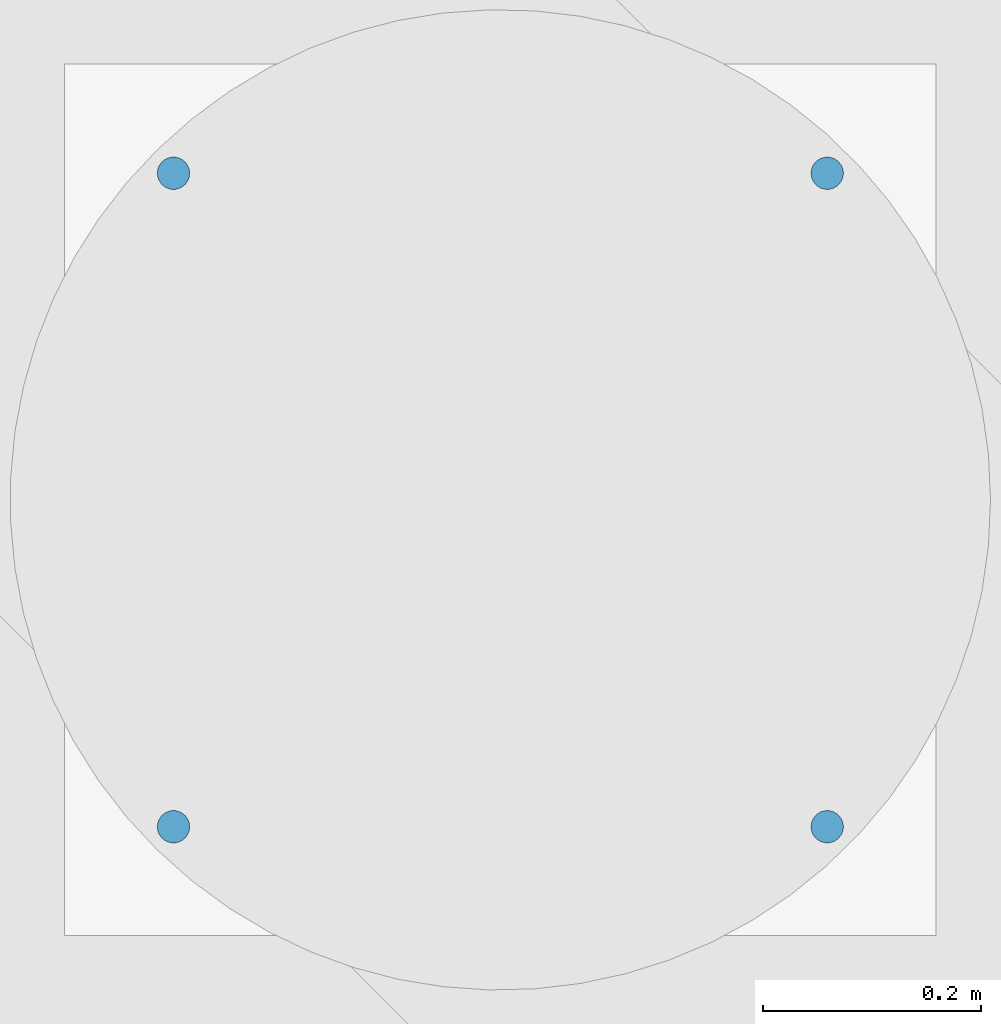
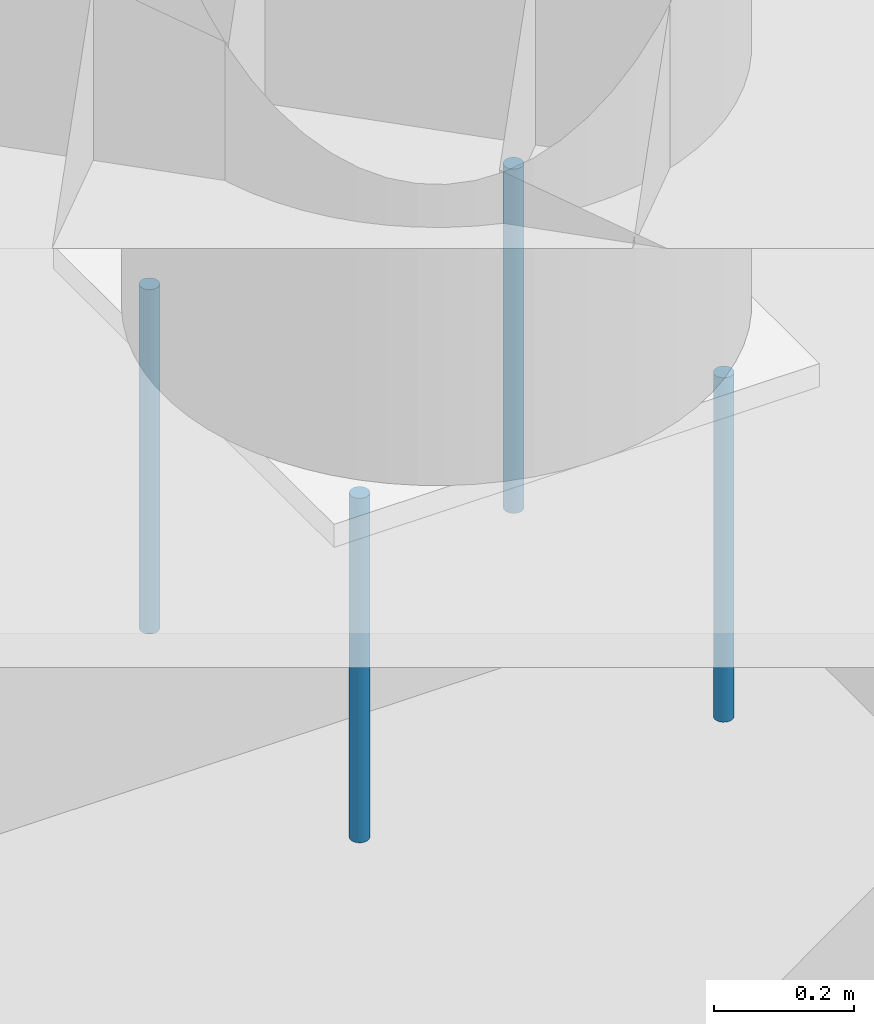
# One storey, part 19 of 28: 4 discrete accessories.
"""IFC4 building model written with IfcOpenShell, lengths in metres."""

import ifcopenshell
import ifcopenshell.guid

model = None  # the IFC model being written
_history = None  # IfcOwnerHistory: only IFC2X3 demands one
_inside = {}  # id of a spatial element -> (the spatial element, [elements in it])
_under = {}  # id of a project, library or spatial element -> (it, [spatial elements below it])
_declared = {}  # id of a project -> (the project, [libraries it declares])
_typed = {}  # id of a type object -> (the type object, [elements of that type])
_made_of = {}  # id of a material, layer set ... -> (it, [elements and type objects made of it])


def new_model(schema):
    """Start an empty IFC model of exactly this schema.

    Asked for "IFC4X3", IfcOpenShell would pick the latest addendum, in which some entities
    have other attributes; the version numbers below select the first issue.
    IFC2X3 requires an IfcOwnerHistory on every rooted entity: one is made here for all.
    """
    global model, _history
    if schema == "IFC4X3":
        model = ifcopenshell.file(schema_version=(4, 3, 0, 0))
    else:
        model = ifcopenshell.file(schema=schema)
    _inside.clear()
    _under.clear()
    _declared.clear()
    _typed.clear()
    _made_of.clear()
    _history = None
    if model.schema == "IFC2X3":
        org = make("IfcOrganization", Name="unknown")
        user = make(
            "IfcPersonAndOrganization",
            ThePerson=make("IfcPerson", FamilyName="unknown"),
            TheOrganization=org,
        )
        app = make(
            "IfcApplication",
            ApplicationDeveloper=org,
            Version="unknown",
            ApplicationFullName="unknown",
            ApplicationIdentifier="unknown",
        )
        _history = make(
            "IfcOwnerHistory",
            OwningUser=user,
            OwningApplication=app,
            ChangeAction="ADDED",
            CreationDate=0,
        )
    return model


def make(cls, **values):
    """One entity of the class cls with the attributes given. An attribute that is None is left unset."""
    return model.create_entity(
        cls, **{name: value for name, value in values.items() if value is not None}
    )


def rooted(cls, **values):
    """An entity with a GlobalId (a new one), such as an element, a storey or a relation."""
    return make(cls, GlobalId=ifcopenshell.guid.new(), OwnerHistory=_history, **values)


def si_unit(unit_type, name, prefix=None):
    """IfcSIUnit, for example si_unit("LENGTHUNIT", "METRE", prefix="MILLI")."""
    return make("IfcSIUnit", UnitType=unit_type, Prefix=prefix, Name=name)


def assignment(units):
    """IfcUnitAssignment: the units of a project."""
    return None if units is None else make("IfcUnitAssignment", Units=units)


def point(xyz):
    """IfcCartesianPoint."""
    return None if xyz is None else make("IfcCartesianPoint", Coordinates=xyz)


def direction(xyz):
    """IfcDirection."""
    return None if xyz is None else make("IfcDirection", DirectionRatios=xyz)


def frame(location, z_axis=None, x_axis=None):
    """IfcAxis2Placement3D, a coordinate frame: its origin and axes. An axis left out is left unset."""
    return make(
        "IfcAxis2Placement3D",
        Location=point(location),
        Axis=direction(z_axis),
        RefDirection=direction(x_axis),
    )


def frame_2d(location, x_axis=None):
    """IfcAxis2Placement2D, a coordinate frame in the plane: its origin and x axis."""
    return make(
        "IfcAxis2Placement2D", Location=point(location), RefDirection=direction(x_axis)
    )


def origin():
    """The frame at (0, 0, 0) with its axes left unset."""
    return frame((0.0, 0.0, 0.0))


def origin_2d():
    """The frame at (0, 0) in the plane with its x axis left unset."""
    return frame_2d((0.0, 0.0))


def place(relative_to, where):
    """IfcLocalPlacement: puts the frame where relative to a parent placement (None: the world)."""
    return make(
        "IfcLocalPlacement", PlacementRelTo=relative_to, RelativePlacement=where
    )


def context(
    kind, dimensions, precision=None, world=None, true_north=None, identifier=None
):
    """IfcGeometricRepresentationContext, for example the 3D "Model" context."""
    return make(
        "IfcGeometricRepresentationContext",
        ContextIdentifier=identifier,
        ContextType=kind,
        CoordinateSpaceDimension=dimensions,
        Precision=precision,
        WorldCoordinateSystem=world,
        TrueNorth=true_north,
    )


def subcontext(parent, identifier, kind, view, scale=None):
    """IfcGeometricRepresentationSubContext, for example "Body" below "Model"."""
    return make(
        "IfcGeometricRepresentationSubContext",
        ContextIdentifier=identifier,
        ContextType=kind,
        ParentContext=parent,
        TargetScale=scale,
        TargetView=view,
    )


def project(units=None, contexts=None):
    """IfcProject with its units and contexts."""
    return rooted(
        "IfcProject",
        Name="project",
        RepresentationContexts=contexts,
        UnitsInContext=assignment(units),
    )


def spatial(cls, under=None, at=None, **own):
    """A site, building, storey or space (cls), placed at a placement, below another one or the project."""
    s = rooted(cls, ObjectPlacement=at, **own)
    if under is not None:
        _under.setdefault(under.id(), (under, []))[1].append(s)
    return s


def profile(cls, at=None, kind="AREA", **sizes):
    """A parametric profile (cls). Its sizes go by their IFC names, for example OverallWidth=200.0."""
    return make(cls, ProfileType=kind, Position=at, **sizes)


def circle(**sizes):
    """IfcCircleProfileDef."""
    return profile("IfcCircleProfileDef", **sizes)


def extrude(swept, where, along, depth):
    """IfcExtrudedAreaSolid: the profile swept, set in the frame where, extruded along a direction by depth."""
    return make(
        "IfcExtrudedAreaSolid",
        SweptArea=swept,
        Position=where,
        ExtrudedDirection=direction(along),
        Depth=depth,
    )


def shape(context_of_items, identifier, shape_type, items):
    """IfcShapeRepresentation: the items that make up one representation, for example the "Body"."""
    return make(
        "IfcShapeRepresentation",
        ContextOfItems=context_of_items,
        RepresentationIdentifier=identifier,
        RepresentationType=shape_type,
        Items=items,
    )


def made_of(thing, what):
    """Note that an element or type object is made of a material, layer set ...; save() writes the relation."""
    if what is not None:
        _made_of.setdefault(what.id(), (what, []))[1].append(thing)
    return thing


def element(
    cls,
    number,
    at=None,
    inside=None,
    cuts=None,
    type_object=None,
    material=None,
    context=None,
    identifier="Body",
    shape_type=None,
    held_by="IfcProductDefinitionShape",
    body=None,
    shapes=None,
    **own,
):
    """One element of the class cls, such as IfcWall. Its Tag is "e" and its number.

    at: its placement. inside: the storey or other place that contains it. cuts: it is an
    opening in that element (IfcRelVoidsElement). A single representation is given by context,
    identifier, shape_type and body (its items); several are given by shapes. held_by: the class
    of the entity that holds the representations. save() writes the other relations.
    """
    e = rooted(cls, Tag="e%d" % number, ObjectPlacement=at, **own)
    if body is not None:
        shapes = [shape(context, identifier, shape_type, body)]
    if shapes is not None:
        e.Representation = make(held_by, Representations=shapes)
    if inside is not None:
        _inside.setdefault(inside.id(), (inside, []))[1].append(e)
    if cuts is not None:
        rooted(
            "IfcRelVoidsElement", RelatingBuildingElement=cuts, RelatedOpeningElement=e
        )
    if type_object is not None:
        _typed.setdefault(type_object.id(), (type_object, []))[1].append(e)
    return made_of(e, material)


def aggregate(whole, parts):
    """IfcRelAggregates: a whole, such as a stair, and the parts it consists of."""
    return rooted("IfcRelAggregates", RelatingObject=whole, RelatedObjects=parts)


def save(model, path):
    """Write the relations noted so far, then the file.

    IfcRelAggregates (storeys below a building ...), IfcRelContainedInSpatialStructure (elements
    in a storey), IfcRelDefinesByType, IfcRelAssociatesMaterial and IfcRelDeclares: one each for
    every whole, place, type object, material and project.
    """
    for whole, parts in _under.values():
        aggregate(whole, parts)
    for where, things in _inside.values():
        rooted(
            "IfcRelContainedInSpatialStructure",
            RelatedElements=things,
            RelatingStructure=where,
        )
    for kind, things in _typed.values():
        rooted("IfcRelDefinesByType", RelatedObjects=things, RelatingType=kind)
    for what, things in _made_of.values():
        rooted("IfcRelAssociatesMaterial", RelatedObjects=things, RelatingMaterial=what)
    for by, libraries in _declared.values():
        rooted("IfcRelDeclares", RelatingContext=by, RelatedDefinitions=libraries)
    model.write(path)


model = new_model("IFC4")

# Units and contexts
model_context = context("Model", 3, precision=1e-05, world=origin(), true_north=direction((0.0, 1.0)))
body_context = subcontext(model_context, "Body", "Model", "MODEL_VIEW")
ifc_project = project(units=[si_unit("LENGTHUNIT", "METRE"), si_unit("AREAUNIT", "SQUARE_METRE"), si_unit("VOLUMEUNIT", "CUBIC_METRE"), si_unit("PLANEANGLEUNIT", "RADIAN"), si_unit("MASSUNIT", "GRAM", prefix="KILO")], contexts=[model_context])

# Site, building, storey
site_placement = place(None, origin())
site = spatial("IfcSite", under=ifc_project, at=site_placement, CompositionType="ELEMENT")
building_placement = place(site_placement, origin())
building = spatial("IfcBuilding", under=site, at=building_placement, Name="Tabaq Tower and Sports Hall", CompositionType="ELEMENT")
storey_placement = place(building_placement, frame((0.0, 0.0, 233.5)))
storey = spatial("IfcBuildingStorey", under=building, at=storey_placement, Name="L59", CompositionType="ELEMENT", Elevation=233.5)

# Discrete accessories
for number, where, z_axis, x_axis, name in (
    (1, (40.199951171875, 7.800048828125, 1.60009765625), (0.0, 0.0, -1.0), (1.0, 0.0, 0.0), "Wind Turbine 4 Anchor Bolt 1"),
    (2, (40.800048828125, 7.800048828125, 1.60009765625), (0.0, 0.0, -1.0), (1.0, 0.0, 0.0), "Wind Turbine 4 Anchor Bolt 2"),
    (3, (40.800048828125, 8.39990234375, 1.60009765625), (0.0, 0.0, -1.0), (1.0, 0.0, 0.0), "Wind Turbine 4 Anchor Bolt 3"),
    (4, (40.199951171875, 8.39990234375, 1.60009765625), (0.0, 0.0, -1.0), (1.0, 0.0, 0.0), "Wind Turbine 4 Anchor Bolt 4"),
):
    element("IfcDiscreteAccessory", number, at=place(storey_placement, frame(where, z_axis=z_axis, x_axis=x_axis)), inside=storey, Name=name, PredefinedType="NOTDEFINED", context=body_context, shape_type="SweptSolid", body=[
        extrude(circle(Radius=0.014892578125, at=origin_2d()), origin(), (0.0, 0.0, 1.0), 0.60009765625),
    ])

save(model, "model.ifc")
